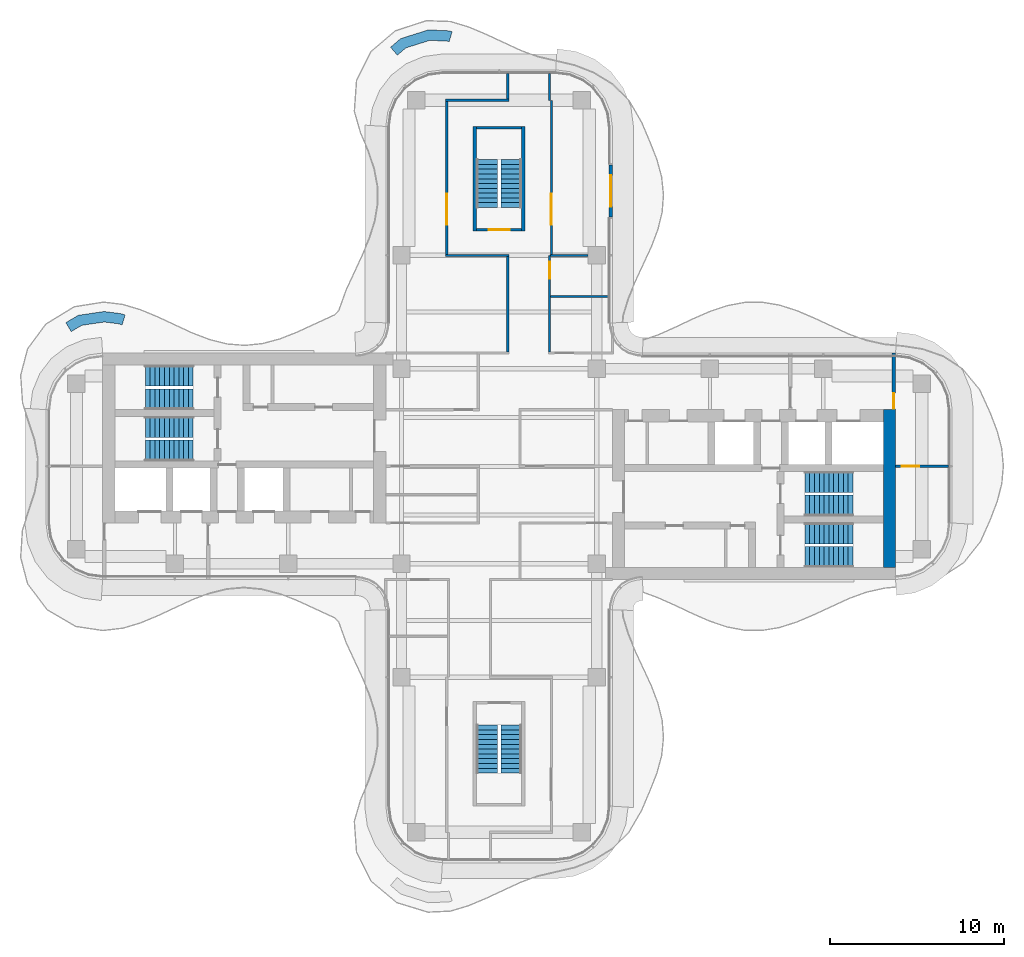
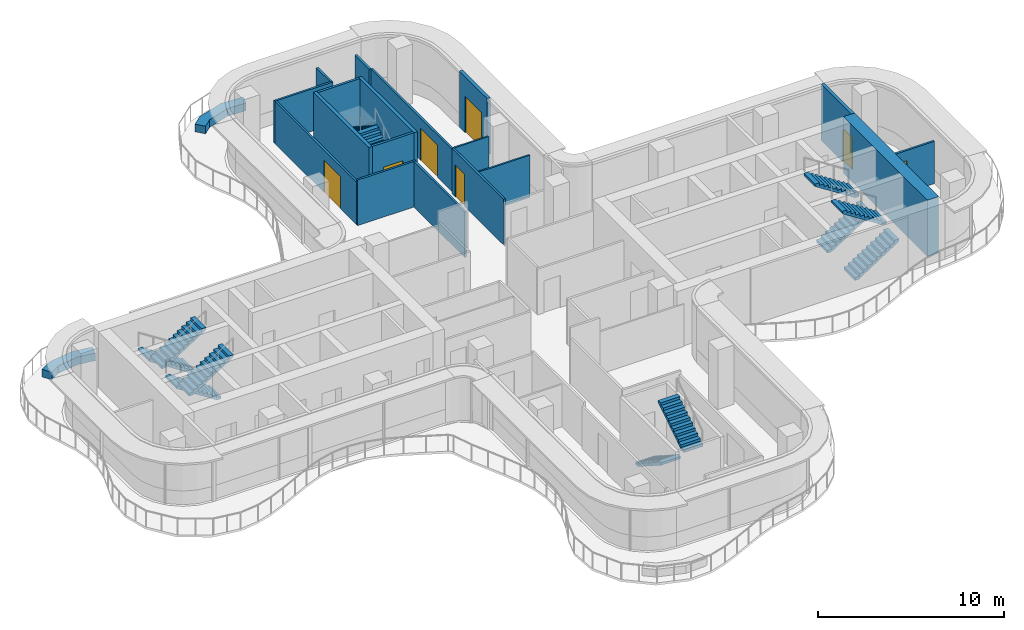
# One storey, part 13 of 15: 20 walls, 12 stair flights, 7 doors, 7 openings, 6 elements without a shape of their own.
"""IFC4 building model written with IfcOpenShell, lengths in metres."""

from ifc_helpers import new_model, si_unit, direction, frame, frame_2d, origin, place, context, subcontext, project, spatial, polyline, rectangle, outline, extrude, source, transform, mapped, material, layer, layer_set, type_object, element, fill, aggregate, save


model = new_model("IFC4")

# Units and contexts
model_context = context("Model", 3, precision=1e-05, world=origin(), true_north=direction((0.0, 1.0)))
body_context = subcontext(model_context, "Body", "Model", "MODEL_VIEW")
ifc_project = project(units=[si_unit("LENGTHUNIT", "METRE"), si_unit("AREAUNIT", "SQUARE_METRE"), si_unit("VOLUMEUNIT", "CUBIC_METRE"), si_unit("PLANEANGLEUNIT", "RADIAN"), si_unit("MASSUNIT", "GRAM", prefix="KILO")], contexts=[model_context])

# Site, building, storey
site_placement = place(None, origin())
site = spatial("IfcSite", under=ifc_project, at=site_placement, CompositionType="ELEMENT")
building_placement = place(site_placement, origin())
building = spatial("IfcBuilding", under=site, at=building_placement, Name="Trellis Farm Tower", CompositionType="ELEMENT")
storey_placement = place(building_placement, frame((0.0, 0.0, 287.199951171875)))
storey = spatial("IfcBuildingStorey", under=building, at=storey_placement, Name="L64", CompositionType="ELEMENT", Elevation=287.199951171875)

# Walls
ifc_material_1 = material(Name="Sandstone faced masonry planter", Category="masonry")
ifc_layer_1 = layer(ifc_material_1, 0.60009765625)
ifc_layer_set_1 = layer_set([ifc_layer_1], Name="PLANTER BED 600")
wall_type_1 = type_object("IfcWallType", Name="PLANTER BED 600", PredefinedType="USERDEFINED", material=ifc_layer_set_1)
placement = place(storey_placement, origin())
element("IfcWall", 1, at=placement, inside=storey, type_object=wall_type_1, Name="PLANTER bed", ObjectType="PLANTER", PredefinedType="USERDEFINED", context=body_context, shape_type="SweptSolid", body=[
    extrude(outline(polyline([(-5.646728515625, 24.541748046875), (-4.053466796875, 25.044189453125), (-2.864013671875, 24.989013671875), (-2.692626953125, 24.93701171875), (-2.8671875, 24.363037109375), (-2.966796875, 24.393310546875), (-3.974609375, 24.439697265625), (-5.35107421875, 24.005859375), (-5.83984375, 23.591552734375), (-6.227783203125, 24.049072265625), (-5.646728515625, 24.541748046875)])), origin(), (0.0, 0.0, 1.0), 0.5),
])
element("IfcWall", 2, at=placement, inside=storey, type_object=wall_type_1, Name="PLANTER bed", ObjectType="PLANTER", PredefinedType="USERDEFINED", context=body_context, shape_type="SweptSolid", body=[
    extrude(outline(polyline([(-22.663818359375, 8.8837890625), (-21.726806640625, 8.766845703125), (-21.458984375, 8.687744140625), (-21.62939453125, 8.1123046875), (-21.849853515625, 8.177490234375), (-22.6572265625, 8.2783203125), (-23.9462890625, 8.088623046875), (-24.551513671875, 7.726806640625), (-24.859375, 8.24169921875), (-24.15185546875, 8.664794921875), (-22.663818359375, 8.8837890625)])), origin(), (0.0, 0.0, 1.0), 0.5),
])
ifc_material_2 = material(Name="Concrete C50/60", Category="concrete")
ifc_layer_2 = layer(ifc_material_2, 0.699951171875)
ifc_layer_set_2 = layer_set([ifc_layer_2], Name="CORE OUTER WALL 700 CONCRETE C50/60")
wall_type_2 = type_object("IfcWallType", Name="CORE OUTER WALL 700 CONCRETE C50/60", PredefinedType="SHEAR", material=ifc_layer_set_2)
shared_shape_1 = source(origin(), body_context, "Body", "SweptSolid", [
    extrude(rectangle(XDim=9.050048828125, YDim=0.699951171875, at=frame_2d((4.52490234375, 0.0))), origin(), (0.0, 0.0, 1.0), 3.699951171875),
])
wall_3_placement = place(storey_placement, frame((22.39990234375, -5.800048828125, 0.0), z_axis=(0.0, 0.0, 1.0), x_axis=(0.0, 1.0, 0.0)))
element("IfcWall", 3, at=wall_3_placement, inside=storey, type_object=wall_type_2, Name="Core wall", PredefinedType="SHEAR", context=body_context, shape_type="MappedRepresentation", body=[
    mapped(shared_shape_1, transform((0.0, 0.0, 0.0))),
])

# Wall, opening, door
ifc_material_3 = material(Name="Masonry blockwork", Category="masonry")
ifc_layer_3 = layer(ifc_material_3, 0.199951171875)
ifc_layer_set_3 = layer_set([ifc_layer_3], Name="FIRE LOBBY PARTITION 200 BLOCKWORK")
wall_type_3 = type_object("IfcWallType", Name="FIRE LOBBY PARTITION 200 BLOCKWORK", PredefinedType="PARTITIONING", material=ifc_layer_set_3)
shared_shape_2 = source(origin(), body_context, "Body", "SweptSolid", [
    extrude(rectangle(XDim=3.25, YDim=0.199951171875, at=frame_2d((1.625, 0.0))), origin(), (0.0, 0.0, 1.0), 3.699951171875),
])
wall_4_placement = place(storey_placement, frame((22.64990234375, 3.25, 0.0), z_axis=(0.0, 0.0, 1.0), x_axis=(0.0, 1.0, 0.0)))
wall_4 = element("IfcWall", 4, at=wall_4_placement, inside=storey, type_object=wall_type_3, Name="Fire-fighting lobby partition", PredefinedType="PARTITIONING", context=body_context, shape_type="MappedRepresentation", body=[
    mapped(shared_shape_2, transform((0.0, 0.0, 0.0))),
])
shared_shape_3 = source(origin(), body_context, "Body", "SweptSolid", [
    extrude(rectangle(XDim=0.89990234375, YDim=2.10009765625, at=frame_2d((0.449951171875, 1.050048828125))), frame((0.0, 0.110107421875, 0.0), z_axis=(0.0, -1.0, 0.0), x_axis=(1.0, 0.0, 0.0)), (0.0, 0.0, 1.0), 0.22021484375),
])
opening_1_placement = place(wall_4_placement, frame((0.050048828125, 0.0, 0.0)))
opening_1 = element("IfcOpeningElement", 5, at=opening_1_placement, cuts=wall_4, Name="Opening DC8", PredefinedType="OPENING", context=body_context, shape_type="MappedRepresentation", body=[
    mapped(shared_shape_3, transform((0.0, 0.0, 0.0))),
])
ifc_material_4 = material(Name="Steel", Category="steel")
door_type_1 = type_object("IfcDoorType", Name="CORE FIRE DOOR 900 X 2100", OperationType="NOTDEFINED", PredefinedType="DOOR", material=ifc_material_4)
shared_shape_4 = source(origin(), body_context, "Body", "SweptSolid", [
    extrude(rectangle(XDim=0.89990234375, YDim=2.10009765625, at=frame_2d((0.449951171875, 1.050048828125))), frame((0.0, 0.02490234375, 0.0), z_axis=(0.0, -1.0, 0.0), x_axis=(1.0, 0.0, 0.0)), (0.0, 0.0, 1.0), 0.050048828125),
])
door_1_placement = place(opening_1_placement, origin())
door_1 = element("IfcDoor", 6, at=door_1_placement, inside=storey, type_object=door_type_1, Name="Core door", OperationType="SINGLE_SWING_RIGHT", OverallHeight=2.10009765625, OverallWidth=0.89990234375, PredefinedType="DOOR", context=body_context, shape_type="MappedRepresentation", body=[
    mapped(shared_shape_4, transform((0.0, 0.0, 0.0))),
])
fill(opening_1, door_1)

# Walls
ifc_layer_4 = layer(ifc_material_2, 0.199951171875)
ifc_layer_set_4 = layer_set([ifc_layer_4], Name="CORE STAIR ENCLOSURE WALL 200 CONCRETE C50/60")
wall_type_4 = type_object("IfcWallType", Name="CORE STAIR ENCLOSURE WALL 200 CONCRETE C50/60", PredefinedType="SHEAR", material=ifc_layer_set_4)
shared_shape_5 = source(origin(), body_context, "Body", "SweptSolid", [
    extrude(rectangle(XDim=6.0, YDim=0.199951171875, at=frame_2d((3.0, 0.0))), origin(), (0.0, 0.0, 1.0), 3.699951171875),
])
for number, where, z_axis, x_axis, name in (
    (7, (-1.39990234375, 13.5, 0.0), (0.0, 0.0, 1.0), (0.0, 1.0, 0.0), "Stair enclosure wall"),
    (8, (1.39990234375, 13.5, 0.0), (0.0, 0.0, 1.0), (0.0, 1.0, 0.0), "Stair enclosure wall"),
):
    element("IfcWall", number, at=place(storey_placement, frame(where, z_axis=z_axis, x_axis=x_axis)), inside=storey, type_object=wall_type_4, Name=name, PredefinedType="SHEAR", context=body_context, shape_type="MappedRepresentation", body=[
        mapped(shared_shape_5, transform((0.0, 0.0, 0.0))),
    ])

# Wall, opening, door
ifc_layer_5 = layer(ifc_material_2, 0.14990234375)
ifc_layer_set_5 = layer_set([ifc_layer_5], Name="CORE STAIR ENCLOSURE WALL 150 CONCRETE C50/60")
wall_type_5 = type_object("IfcWallType", Name="CORE STAIR ENCLOSURE WALL 150 CONCRETE C50/60", PredefinedType="SHEAR", material=ifc_layer_set_5)
shared_shape_6 = source(origin(), body_context, "Body", "SweptSolid", [
    extrude(rectangle(XDim=2.60009765625, YDim=0.14990234375, at=frame_2d((1.300048828125, 0.0))), origin(), (0.0, 0.0, 1.0), 3.699951171875),
])
wall_5_placement = place(storey_placement, frame((-1.300048828125, 13.574951171875, 0.0), z_axis=(0.0, 0.0, 1.0), x_axis=(1.0, 0.0, 0.0)))
wall_5 = element("IfcWall", 9, at=wall_5_placement, inside=storey, type_object=wall_type_5, Name="Stair enclosure wall", PredefinedType="SHEAR", context=body_context, shape_type="MappedRepresentation", body=[
    mapped(shared_shape_6, transform((0.0, 0.0, 0.0))),
])
shared_shape_7 = source(origin(), body_context, "Body", "SweptSolid", [
    extrude(rectangle(XDim=1.199951171875, YDim=2.10009765625, at=frame_2d((0.60009765625, 1.050048828125))), frame((0.0, 0.0849609375, 0.0), z_axis=(0.0, -1.0, 0.0), x_axis=(1.0, 0.0, 0.0)), (0.0, 0.0, 1.0), 0.169921875),
])
opening_2_placement = place(wall_5_placement, frame((0.699951171875, 0.0, 0.0)))
opening_2 = element("IfcOpeningElement", 10, at=opening_2_placement, cuts=wall_5, Name="Opening DC173", PredefinedType="OPENING", context=body_context, shape_type="MappedRepresentation", body=[
    mapped(shared_shape_7, transform((0.0, 0.0, 0.0))),
])
door_type_2 = type_object("IfcDoorType", Name="CORE FIRE DOOR 1200 X 2100", OperationType="NOTDEFINED", PredefinedType="DOOR", material=ifc_material_4)
shared_shape_8 = source(origin(), body_context, "Body", "SweptSolid", [
    extrude(rectangle(XDim=1.199951171875, YDim=2.10009765625, at=frame_2d((0.60009765625, 1.050048828125))), frame((0.0, 0.02490234375, 0.0), z_axis=(0.0, -1.0, 0.0), x_axis=(1.0, 0.0, 0.0)), (0.0, 0.0, 1.0), 0.050048828125),
])
door_2_placement = place(opening_2_placement, origin())
door_2 = element("IfcDoor", 11, at=door_2_placement, inside=storey, type_object=door_type_2, Name="Core door", OperationType="SINGLE_SWING_LEFT", OverallHeight=2.10009765625, OverallWidth=1.199951171875, PredefinedType="DOOR", context=body_context, shape_type="MappedRepresentation", body=[
    mapped(shared_shape_8, transform((0.0, 0.0, 0.0))),
])
fill(opening_2, door_2)

# Wall
wall_6_placement = place(storey_placement, frame((-1.300048828125, 19.425048828125, 0.0), z_axis=(0.0, 0.0, 1.0), x_axis=(1.0, 0.0, 0.0)))
element("IfcWall", 12, at=wall_6_placement, inside=storey, type_object=wall_type_5, Name="Stair enclosure wall", PredefinedType="SHEAR", context=body_context, shape_type="MappedRepresentation", body=[
    mapped(shared_shape_6, transform((0.0, 0.0, 0.0))),
])

# Wall, opening, door
ifc_material_5 = material(Name="Sandstone faced insulated wall", Category="masonry")
ifc_layer_6 = layer(ifc_material_5, 0.199951171875)
ifc_layer_set_6 = layer_set([ifc_layer_6], Name="EXTERNAL INFILL WALL 200")
wall_type_6 = type_object("IfcWallType", Name="EXTERNAL INFILL WALL 200", PredefinedType="SOLIDWALL", material=ifc_layer_set_6)
shared_shape_9 = source(origin(), body_context, "Body", "SweptSolid", [
    extrude(rectangle(XDim=3.0, YDim=0.199951171875, at=frame_2d((1.5, 0.0))), origin(), (0.0, 0.0, 1.0), 3.699951171875),
])
wall_7_placement = place(storey_placement, frame((6.39990234375, 14.300048828125, 0.0), z_axis=(0.0, 0.0, 1.0), x_axis=(0.0, 1.0, 0.0)))
wall_7 = element("IfcWall", 13, at=wall_7_placement, inside=storey, type_object=wall_type_6, Name="EW1 01", PredefinedType="SOLIDWALL", context=body_context, shape_type="MappedRepresentation", body=[
    mapped(shared_shape_9, transform((0.0, 0.0, 0.0))),
])
shared_shape_10 = source(origin(), body_context, "Body", "SweptSolid", [
    extrude(rectangle(XDim=1.800048828125, YDim=2.39990234375, at=frame_2d((0.89990234375, 1.199951171875))), frame((0.0, 0.110107421875, 0.0), z_axis=(0.0, -1.0, 0.0), x_axis=(1.0, 0.0, 0.0)), (0.0, 0.0, 1.0), 0.22021484375),
])
opening_3_placement = place(wall_7_placement, frame((0.60009765625, 0.0, 0.0)))
opening_3 = element("IfcOpeningElement", 14, at=opening_3_placement, cuts=wall_7, Name="Opening ED1", PredefinedType="OPENING", context=body_context, shape_type="MappedRepresentation", body=[
    mapped(shared_shape_10, transform((0.0, 0.0, 0.0))),
])
ifc_material_6 = material(Name="Aluminium framed glazed door", Category="aluminium")
door_type_3 = type_object("IfcDoorType", Name="BALCONY DOOR 1800x2400", OperationType="DOUBLE_DOOR_SINGLE_SWING", PredefinedType="DOOR", material=ifc_material_6)
shared_shape_11 = source(origin(), body_context, "Body", "SweptSolid", [
    extrude(rectangle(XDim=1.800048828125, YDim=2.39990234375, at=frame_2d((0.89990234375, 1.199951171875))), frame((0.0, 0.02490234375, 0.0), z_axis=(0.0, -1.0, 0.0), x_axis=(1.0, 0.0, 0.0)), (0.0, 0.0, 1.0), 0.050048828125),
])
door_3_placement = place(opening_3_placement, origin())
door_3 = element("IfcDoor", 15, at=door_3_placement, inside=storey, type_object=door_type_3, Name="Balcony door", OperationType="DOUBLE_DOOR_SINGLE_SWING", OverallHeight=2.39990234375, OverallWidth=1.800048828125, PredefinedType="DOOR", context=body_context, shape_type="MappedRepresentation", body=[
    mapped(shared_shape_11, transform((0.0, 0.0, 0.0))),
])
fill(opening_3, door_3)

# Wall
ifc_material_7 = material(Name="Plasterboard on steel studs, mineral wool", Category="steel")
ifc_layer_7 = layer(ifc_material_7, 0.125)
ifc_layer_set_7 = layer_set([ifc_layer_7], Name="PARTITION 125 STUD EI 60")
wall_type_7 = type_object("IfcWallType", Name="PARTITION 125 STUD EI 60", PredefinedType="PARTITIONING", material=ifc_layer_set_7)
shared_shape_12 = source(origin(), body_context, "Body", "SweptSolid", [
    extrude(rectangle(XDim=5.47509765625, YDim=0.125, at=frame_2d((2.737548828125, 0.0))), origin(), (0.0, 0.0, 1.0), 2.99658203125),
])
wall_8_placement = place(storey_placement, frame((0.5, 12.03759765625, 0.0), z_axis=(0.0, 0.0, 1.0), x_axis=(0.0, -1.0, 0.0)))
element("IfcWall", 16, at=wall_8_placement, inside=storey, type_object=wall_type_7, Name="Partition PW1", PredefinedType="PARTITIONING", context=body_context, shape_type="MappedRepresentation", body=[
    mapped(shared_shape_12, transform((0.0, 0.0, 0.0))),
])

# Wall, opening, door
shared_shape_13 = source(origin(), body_context, "Body", "SweptSolid", [
    extrude(rectangle(XDim=5.53759765625, YDim=0.125, at=frame_2d((2.768798828125, 0.0))), origin(), (0.0, 0.0, 1.0), 2.99658203125),
])
wall_9_placement = place(storey_placement, frame((2.89990234375, 12.10009765625, 0.0), z_axis=(0.0, 0.0, 1.0), x_axis=(0.0, -1.0, 0.0)))
wall_9 = element("IfcWall", 17, at=wall_9_placement, inside=storey, type_object=wall_type_7, Name="Partition PW1", PredefinedType="PARTITIONING", context=body_context, shape_type="MappedRepresentation", body=[
    mapped(shared_shape_13, transform((0.0, 0.0, 0.0))),
])
shared_shape_14 = source(origin(), body_context, "Body", "SweptSolid", [
    extrude(rectangle(XDim=1.0, YDim=2.10009765625, at=frame_2d((0.5, 1.050048828125))), frame((0.0, 0.072509765625, 0.0), z_axis=(0.0, -1.0, 0.0), x_axis=(1.0, 0.0, 0.0)), (0.0, 0.0, 1.0), 0.14501953125),
])
opening_4_placement = place(wall_9_placement, frame((0.35009765625, 0.0, 0.0)))
opening_4 = element("IfcOpeningElement", 18, at=opening_4_placement, cuts=wall_9, Name="Opening D110", PredefinedType="OPENING", context=body_context, shape_type="MappedRepresentation", body=[
    mapped(shared_shape_14, transform((0.0, 0.0, 0.0))),
])
ifc_material_8 = material(Name="Fire-rated timber door leaf in a hollow metal frame", Category="wood")
door_type_4 = type_object("IfcDoorType", Name="DOOR 1000x2100 FD30S", OperationType="NOTDEFINED", PredefinedType="DOOR", material=ifc_material_8)
shared_shape_15 = source(origin(), body_context, "Body", "SweptSolid", [
    extrude(rectangle(XDim=1.0, YDim=2.10009765625, at=frame_2d((0.5, 1.050048828125))), frame((0.0, 0.02490234375, 0.0), z_axis=(0.0, -1.0, 0.0), x_axis=(1.0, 0.0, 0.0)), (0.0, 0.0, 1.0), 0.050048828125),
])
door_4_placement = place(opening_4_placement, origin())
door_4 = element("IfcDoor", 19, at=door_4_placement, inside=storey, type_object=door_type_4, Name="Door D110", OperationType="SINGLE_SWING_LEFT", OverallHeight=2.10009765625, OverallWidth=1.0, PredefinedType="DOOR", context=body_context, shape_type="MappedRepresentation", body=[
    mapped(shared_shape_15, transform((0.0, 0.0, 0.0))),
])
fill(opening_4, door_4)

# Wall
shared_shape_16 = source(origin(), body_context, "Body", "SweptSolid", [
    extrude(rectangle(XDim=3.625, YDim=0.125, at=frame_2d((1.8125, 0.0))), origin(), (0.0, 0.0, 1.0), 2.99658203125),
])
wall_10_placement = place(storey_placement, frame((0.5625, 12.10009765625, 0.0), z_axis=(0.0, 0.0, 1.0), x_axis=(-1.0, 0.0, 0.0)))
element("IfcWall", 20, at=wall_10_placement, inside=storey, type_object=wall_type_7, Name="Partition PW1", PredefinedType="PARTITIONING", context=body_context, shape_type="MappedRepresentation", body=[
    mapped(shared_shape_16, transform((0.0, 0.0, 0.0))),
])

# Wall, opening, door
shared_shape_17 = source(origin(), body_context, "Body", "SweptSolid", [
    extrude(rectangle(XDim=8.77490234375, YDim=0.125, at=frame_2d((4.387451171875, 0.0))), origin(), (0.0, 0.0, 1.0), 2.780029296875),
])
wall_11_placement = place(storey_placement, frame((-3.0, 12.16259765625, 0.0), z_axis=(0.0, 0.0, 1.0), x_axis=(0.0, 1.0, 0.0)))
wall_11 = element("IfcWall", 21, at=wall_11_placement, inside=storey, type_object=wall_type_7, Name="Partition PW1", PredefinedType="PARTITIONING", context=body_context, shape_type="MappedRepresentation", body=[
    mapped(shared_shape_17, transform((0.0, 0.0, 0.0))),
])
shared_shape_18 = source(origin(), body_context, "Body", "SweptSolid", [
    extrude(rectangle(XDim=1.800048828125, YDim=2.10009765625, at=frame_2d((0.89990234375, 1.050048828125))), frame((0.0, 0.072509765625, 0.0), z_axis=(0.0, -1.0, 0.0), x_axis=(1.0, 0.0, 0.0)), (0.0, 0.0, 1.0), 0.14501953125),
])
opening_5_placement = place(wall_11_placement, frame((1.6875, 0.0, 0.0)))
opening_5 = element("IfcOpeningElement", 22, at=opening_5_placement, cuts=wall_11, Name="Opening D202", PredefinedType="OPENING", context=body_context, shape_type="MappedRepresentation", body=[
    mapped(shared_shape_18, transform((0.0, 0.0, 0.0))),
])
door_type_5 = type_object("IfcDoorType", Name="DOOR PAIR 1800x2100 FD30S", OperationType="NOTDEFINED", PredefinedType="DOOR", material=ifc_material_8)
shared_shape_19 = source(origin(), body_context, "Body", "SweptSolid", [
    extrude(rectangle(XDim=1.800048828125, YDim=2.10009765625, at=frame_2d((0.89990234375, 1.050048828125))), frame((0.0, 0.02490234375, 0.0), z_axis=(0.0, -1.0, 0.0), x_axis=(1.0, 0.0, 0.0)), (0.0, 0.0, 1.0), 0.050048828125),
])
door_5_placement = place(opening_5_placement, origin())
door_5 = element("IfcDoor", 23, at=door_5_placement, inside=storey, type_object=door_type_5, Name="Door D202", OperationType="DOUBLE_DOOR_SINGLE_SWING", OverallHeight=2.10009765625, OverallWidth=1.800048828125, PredefinedType="DOOR", context=body_context, shape_type="MappedRepresentation", body=[
    mapped(shared_shape_19, transform((0.0, 0.0, 0.0))),
])
fill(opening_5, door_5)

# Walls
shared_shape_20 = source(origin(), body_context, "Body", "SweptSolid", [
    extrude(rectangle(XDim=1.487548828125, YDim=0.125, at=frame_2d((0.74365234375, 0.0))), origin(), (0.0, 0.0, 1.0), 2.780029296875),
])
wall_12_placement = place(storey_placement, frame((0.5, 22.550048828125, 0.0), z_axis=(0.0, 0.0, 1.0), x_axis=(0.0, -1.0, 0.0)))
element("IfcWall", 24, at=wall_12_placement, inside=storey, type_object=wall_type_7, Name="Partition PW1", PredefinedType="PARTITIONING", context=body_context, shape_type="MappedRepresentation", body=[
    mapped(shared_shape_20, transform((0.0, 0.0, 0.0))),
])
shared_shape_21 = source(origin(), body_context, "Body", "SweptSolid", [
    extrude(rectangle(XDim=1.550048828125, YDim=0.125, at=frame_2d((0.77490234375, 0.0))), origin(), (0.0, 0.0, 1.0), 2.780029296875),
])
wall_13_placement = place(storey_placement, frame((2.89990234375, 22.550048828125, 0.0), z_axis=(0.0, 0.0, 1.0), x_axis=(0.0, -1.0, 0.0)))
element("IfcWall", 25, at=wall_13_placement, inside=storey, type_object=wall_type_7, Name="Partition PW1", PredefinedType="PARTITIONING", context=body_context, shape_type="MappedRepresentation", body=[
    mapped(shared_shape_21, transform((0.0, 0.0, 0.0))),
])
shared_shape_22 = source(origin(), body_context, "Body", "SweptSolid", [
    extrude(rectangle(XDim=3.625, YDim=0.125, at=frame_2d((1.8125, 0.0))), origin(), (0.0, 0.0, 1.0), 2.780029296875),
])
wall_14_placement = place(storey_placement, frame((-3.0625, 21.0, 0.0), z_axis=(0.0, 0.0, 1.0), x_axis=(1.0, 0.0, 0.0)))
element("IfcWall", 26, at=wall_14_placement, inside=storey, type_object=wall_type_7, Name="Partition PW1", PredefinedType="PARTITIONING", context=body_context, shape_type="MappedRepresentation", body=[
    mapped(shared_shape_22, transform((0.0, 0.0, 0.0))),
])

# Wall, opening, door
shared_shape_23 = source(origin(), body_context, "Body", "SweptSolid", [
    extrude(rectangle(XDim=3.050048828125, YDim=0.125, at=frame_2d((1.52490234375, 0.0))), origin(), (0.0, 0.0, 1.0), 2.780029296875),
])
wall_15_placement = place(storey_placement, frame((25.800048828125, 0.0, 0.0), z_axis=(0.0, 0.0, 1.0), x_axis=(-1.0, 0.0, 0.0)))
wall_15 = element("IfcWall", 27, at=wall_15_placement, inside=storey, type_object=wall_type_7, Name="Partition PW1", PredefinedType="PARTITIONING", context=body_context, shape_type="MappedRepresentation", body=[
    mapped(shared_shape_23, transform((0.0, 0.0, 0.0))),
])
opening_6_placement = place(wall_15_placement, frame((1.699951171875, 0.0, 0.0)))
opening_6 = element("IfcOpeningElement", 28, at=opening_6_placement, cuts=wall_15, Name="Opening D107", PredefinedType="OPENING", context=body_context, shape_type="MappedRepresentation", body=[
    mapped(shared_shape_14, transform((0.0, 0.0, 0.0))),
])
door_6_placement = place(opening_6_placement, origin())
door_6 = element("IfcDoor", 29, at=door_6_placement, inside=storey, type_object=door_type_4, Name="Door D107", OperationType="SINGLE_SWING_RIGHT", OverallHeight=2.10009765625, OverallWidth=1.0, PredefinedType="DOOR", context=body_context, shape_type="MappedRepresentation", body=[
    mapped(shared_shape_15, transform((0.0, 0.0, 0.0))),
])
fill(opening_6, door_6)

shared_shape_24 = source(origin(), body_context, "Body", "SweptSolid", [
    extrude(rectangle(XDim=8.85009765625, YDim=0.125, at=frame_2d((4.425048828125, 0.0))), origin(), (0.0, 0.0, 1.0), 2.780029296875),
])
wall_16_placement = place(storey_placement, frame((3.0, 21.0, 0.0), z_axis=(0.0, 0.0, 1.0), x_axis=(0.0, -1.0, 0.0)))
wall_16 = element("IfcWall", 30, at=wall_16_placement, inside=storey, type_object=wall_type_7, Name="Partition PW1", PredefinedType="PARTITIONING", context=body_context, shape_type="MappedRepresentation", body=[
    mapped(shared_shape_24, transform((0.0, 0.0, 0.0))),
])
opening_7_placement = place(wall_16_placement, frame((5.35009765625, 0.0, 0.0)))
opening_7 = element("IfcOpeningElement", 31, at=opening_7_placement, cuts=wall_16, Name="Opening D203", PredefinedType="OPENING", context=body_context, shape_type="MappedRepresentation", body=[
    mapped(shared_shape_18, transform((0.0, 0.0, 0.0))),
])
door_7_placement = place(opening_7_placement, origin())
door_7 = element("IfcDoor", 32, at=door_7_placement, inside=storey, type_object=door_type_5, Name="Door D203", OperationType="DOUBLE_DOOR_SINGLE_SWING", OverallHeight=2.10009765625, OverallWidth=1.800048828125, PredefinedType="DOOR", context=body_context, shape_type="MappedRepresentation", body=[
    mapped(shared_shape_19, transform((0.0, 0.0, 0.0))),
])
fill(opening_7, door_7)

# Walls
ifc_material_9 = material(Name="Plasterboard on steel studs", Category="steel")
ifc_layer_8 = layer(ifc_material_9, 0.10009765625)
ifc_layer_set_8 = layer_set([ifc_layer_8], Name="PARTITION 100 STUD EI 30")
wall_type_8 = type_object("IfcWallType", Name="PARTITION 100 STUD EI 30", PredefinedType="PARTITIONING", material=ifc_layer_set_8)
shared_shape_25 = source(origin(), body_context, "Body", "SweptSolid", [
    extrude(rectangle(XDim=3.337646484375, YDim=0.10009765625, at=frame_2d((1.6689453125, 0.0))), origin(), (0.0, 0.0, 1.0), 2.780029296875),
])
wall_17_placement = place(storey_placement, frame((2.96240234375, 9.75, 0.0), z_axis=(0.0, 0.0, 1.0), x_axis=(1.0, 0.0, 0.0)))
element("IfcWall", 33, at=wall_17_placement, inside=storey, type_object=wall_type_8, Name="Partition PW2", PredefinedType="PARTITIONING", context=body_context, shape_type="MappedRepresentation", body=[
    mapped(shared_shape_25, transform((0.0, 0.0, 0.0))),
])
shared_shape_26 = source(origin(), body_context, "Body", "SweptSolid", [
    extrude(rectangle(XDim=2.16259765625, YDim=0.10009765625, at=frame_2d((1.081298828125, 0.0))), origin(), (0.0, 0.0, 1.0), 2.99658203125),
])
wall_18_placement = place(storey_placement, frame((2.9375, 12.10009765625, 0.0), z_axis=(0.0, 0.0, 1.0), x_axis=(1.0, 0.0, 0.0)))
element("IfcWall", 34, at=wall_18_placement, inside=storey, type_object=wall_type_8, Name="Partition PW2", PredefinedType="PARTITIONING", context=body_context, shape_type="MappedRepresentation", body=[
    mapped(shared_shape_26, transform((0.0, 0.0, 0.0))),
])

# Stair, stair flights
stair_type = type_object("IfcStairType", Name="CORE EXIT STAIR 22 RISERS 177 MM", PredefinedType="HALF_TURN_STAIR", material=ifc_material_2)
stair_1 = element("IfcStair", 35, at=placement, inside=storey, type_object=stair_type, Name="Exit stair N", PredefinedType="HALF_TURN_STAIR")
stair_flight_type = type_object("IfcStairFlightType", Name="STAIR FLIGHT 11 RISERS 177 MM", PredefinedType="STRAIGHT", material=ifc_material_2)
shared_shape_27 = source(origin(), body_context, "Body", "SweptSolid", [
    extrude(outline(polyline([(0.0, 0.0), (0.0, 0.17724609375), (0.27490234375, 0.17724609375), (0.27490234375, 0.3544921875), (0.550048828125, 0.3544921875), (0.550048828125, 0.53173828125), (0.824951171875, 0.53173828125), (0.824951171875, 0.708984375), (1.10009765625, 0.708984375), (1.10009765625, 0.886474609375), (1.375, 0.886474609375), (1.375, 1.063720703125), (1.64990234375, 1.063720703125), (1.64990234375, 1.240966796875), (1.925048828125, 1.240966796875), (1.925048828125, 1.418212890625), (2.199951171875, 1.418212890625), (2.199951171875, 1.595458984375), (2.47509765625, 1.595458984375), (2.47509765625, 1.772705078125), (2.75, 1.772705078125), (2.75, 1.949951171875), (2.75, 1.6181640625), (0.23974609375, 0.0), (0.0, 0.0)])), frame((0.0, 0.60009765625, 0.0), z_axis=(0.0, -1.0, 0.0), x_axis=(1.0, 0.0, 0.0)), (0.0, 0.0, 1.0), 1.199951171875),
])
stair_flight_1_placement = place(storey_placement, frame((0.699951171875, 14.85009765625, 0.0), z_axis=(0.0, 0.0, 1.0), x_axis=(0.0, 1.0, 0.0)))
stair_flight_1 = element("IfcStairFlight", 36, at=stair_flight_1_placement, type_object=stair_flight_type, Name="STN flight 1", NumberOfRisers=11, NumberOfTreads=10, PredefinedType="STRAIGHT", RiserHeight=0.177272727, TreadLength=0.275, context=body_context, shape_type="MappedRepresentation", body=[
    mapped(shared_shape_27, transform((0.0, 0.0, 0.0))),
])
stair_flight_2_placement = place(storey_placement, frame((-0.699951171875, 17.60009765625, 1.949951171875), z_axis=(0.0, 0.0, 1.0), x_axis=(0.0, -1.0, 0.0)))
stair_flight_2 = element("IfcStairFlight", 37, at=stair_flight_2_placement, type_object=stair_flight_type, Name="STN flight 2", NumberOfRisers=11, NumberOfTreads=10, PredefinedType="STRAIGHT", RiserHeight=0.177272727, TreadLength=0.275, context=body_context, shape_type="MappedRepresentation", body=[
    mapped(shared_shape_27, transform((0.0, 0.0, 0.0))),
])
aggregate(stair_1, [stair_flight_1, stair_flight_2])

stair_2 = element("IfcStair", 38, at=placement, inside=storey, type_object=stair_type, Name="Exit stair S", PredefinedType="HALF_TURN_STAIR")
stair_flight_3_placement = place(storey_placement, frame((-0.699951171875, -14.85009765625, 0.0), z_axis=(0.0, 0.0, 1.0), x_axis=(0.0, -1.0, 0.0)))
stair_flight_3 = element("IfcStairFlight", 39, at=stair_flight_3_placement, type_object=stair_flight_type, Name="STS flight 1", NumberOfRisers=11, NumberOfTreads=10, PredefinedType="STRAIGHT", RiserHeight=0.177272727, TreadLength=0.275, context=body_context, shape_type="MappedRepresentation", body=[
    mapped(shared_shape_27, transform((0.0, 0.0, 0.0))),
])
stair_flight_4_placement = place(storey_placement, frame((0.699951171875, -17.60009765625, 1.949951171875), z_axis=(0.0, 0.0, 1.0), x_axis=(0.0, 1.0, 0.0)))
stair_flight_4 = element("IfcStairFlight", 40, at=stair_flight_4_placement, type_object=stair_flight_type, Name="STS flight 2", NumberOfRisers=11, NumberOfTreads=10, PredefinedType="STRAIGHT", RiserHeight=0.177272727, TreadLength=0.275, context=body_context, shape_type="MappedRepresentation", body=[
    mapped(shared_shape_27, transform((0.0, 0.0, 0.0))),
])
aggregate(stair_2, [stair_flight_3, stair_flight_4])

stair_3 = element("IfcStair", 41, at=placement, inside=storey, type_object=stair_type, Name="Exit stair E1", PredefinedType="HALF_TURN_STAIR")
stair_flight_5_placement = place(storey_placement, frame((17.550048828125, -5.199951171875, 0.0), z_axis=(0.0, 0.0, 1.0), x_axis=(1.0, 0.0, 0.0)))
stair_flight_5 = element("IfcStairFlight", 42, at=stair_flight_5_placement, type_object=stair_flight_type, Name="STE1 flight 1", NumberOfRisers=11, NumberOfTreads=10, PredefinedType="STRAIGHT", RiserHeight=0.177272727, TreadLength=0.275, context=body_context, shape_type="MappedRepresentation", body=[
    mapped(shared_shape_27, transform((0.0, 0.0, 0.0))),
])
stair_flight_6_placement = place(storey_placement, frame((20.300048828125, -3.85009765625, 1.949951171875), z_axis=(0.0, 0.0, 1.0), x_axis=(-1.0, 0.0, 0.0)))
stair_flight_6 = element("IfcStairFlight", 43, at=stair_flight_6_placement, type_object=stair_flight_type, Name="STE1 flight 2", NumberOfRisers=11, NumberOfTreads=10, PredefinedType="STRAIGHT", RiserHeight=0.177272727, TreadLength=0.275, context=body_context, shape_type="MappedRepresentation", body=[
    mapped(shared_shape_27, transform((0.0, 0.0, 0.0))),
])
aggregate(stair_3, [stair_flight_5, stair_flight_6])

stair_4 = element("IfcStair", 44, at=placement, inside=storey, type_object=stair_type, Name="Exit stair E2", PredefinedType="HALF_TURN_STAIR")
stair_flight_7_placement = place(storey_placement, frame((17.550048828125, -2.25, 0.0), z_axis=(0.0, 0.0, 1.0), x_axis=(1.0, 0.0, 0.0)))
stair_flight_7 = element("IfcStairFlight", 45, at=stair_flight_7_placement, type_object=stair_flight_type, Name="STE2 flight 1", NumberOfRisers=11, NumberOfTreads=10, PredefinedType="STRAIGHT", RiserHeight=0.177272727, TreadLength=0.275, context=body_context, shape_type="MappedRepresentation", body=[
    mapped(shared_shape_27, transform((0.0, 0.0, 0.0))),
])
stair_flight_8_placement = place(storey_placement, frame((20.300048828125, -0.89990234375, 1.949951171875), z_axis=(0.0, 0.0, 1.0), x_axis=(-1.0, 0.0, 0.0)))
stair_flight_8 = element("IfcStairFlight", 46, at=stair_flight_8_placement, type_object=stair_flight_type, Name="STE2 flight 2", NumberOfRisers=11, NumberOfTreads=10, PredefinedType="STRAIGHT", RiserHeight=0.177272727, TreadLength=0.275, context=body_context, shape_type="MappedRepresentation", body=[
    mapped(shared_shape_27, transform((0.0, 0.0, 0.0))),
])
aggregate(stair_4, [stair_flight_7, stair_flight_8])

stair_5 = element("IfcStair", 47, at=placement, inside=storey, type_object=stair_type, Name="Exit stair W1", PredefinedType="HALF_TURN_STAIR")
stair_flight_9_placement = place(storey_placement, frame((-17.550048828125, 5.199951171875, 0.0), z_axis=(0.0, 0.0, 1.0), x_axis=(-1.0, 0.0, 0.0)))
stair_flight_9 = element("IfcStairFlight", 48, at=stair_flight_9_placement, type_object=stair_flight_type, Name="STW1 flight 1", NumberOfRisers=11, NumberOfTreads=10, PredefinedType="STRAIGHT", RiserHeight=0.177272727, TreadLength=0.275, context=body_context, shape_type="MappedRepresentation", body=[
    mapped(shared_shape_27, transform((0.0, 0.0, 0.0))),
])
stair_flight_10_placement = place(storey_placement, frame((-20.300048828125, 3.85009765625, 1.949951171875), z_axis=(0.0, 0.0, 1.0), x_axis=(1.0, 0.0, 0.0)))
stair_flight_10 = element("IfcStairFlight", 49, at=stair_flight_10_placement, type_object=stair_flight_type, Name="STW1 flight 2", NumberOfRisers=11, NumberOfTreads=10, PredefinedType="STRAIGHT", RiserHeight=0.177272727, TreadLength=0.275, context=body_context, shape_type="MappedRepresentation", body=[
    mapped(shared_shape_27, transform((0.0, 0.0, 0.0))),
])
aggregate(stair_5, [stair_flight_9, stair_flight_10])

stair_6 = element("IfcStair", 50, at=placement, inside=storey, type_object=stair_type, Name="Exit stair W2", PredefinedType="HALF_TURN_STAIR")
stair_flight_11_placement = place(storey_placement, frame((-17.550048828125, 2.25, 0.0), z_axis=(0.0, 0.0, 1.0), x_axis=(-1.0, 0.0, 0.0)))
stair_flight_11 = element("IfcStairFlight", 51, at=stair_flight_11_placement, type_object=stair_flight_type, Name="STW2 flight 1", NumberOfRisers=11, NumberOfTreads=10, PredefinedType="STRAIGHT", RiserHeight=0.177272727, TreadLength=0.275, context=body_context, shape_type="MappedRepresentation", body=[
    mapped(shared_shape_27, transform((0.0, 0.0, 0.0))),
])
stair_flight_12_placement = place(storey_placement, frame((-20.300048828125, 0.89990234375, 1.949951171875), z_axis=(0.0, 0.0, 1.0), x_axis=(1.0, 0.0, 0.0)))
stair_flight_12 = element("IfcStairFlight", 52, at=stair_flight_12_placement, type_object=stair_flight_type, Name="STW2 flight 2", NumberOfRisers=11, NumberOfTreads=10, PredefinedType="STRAIGHT", RiserHeight=0.177272727, TreadLength=0.275, context=body_context, shape_type="MappedRepresentation", body=[
    mapped(shared_shape_27, transform((0.0, 0.0, 0.0))),
])
aggregate(stair_6, [stair_flight_11, stair_flight_12])

save(model, "model.ifc")
